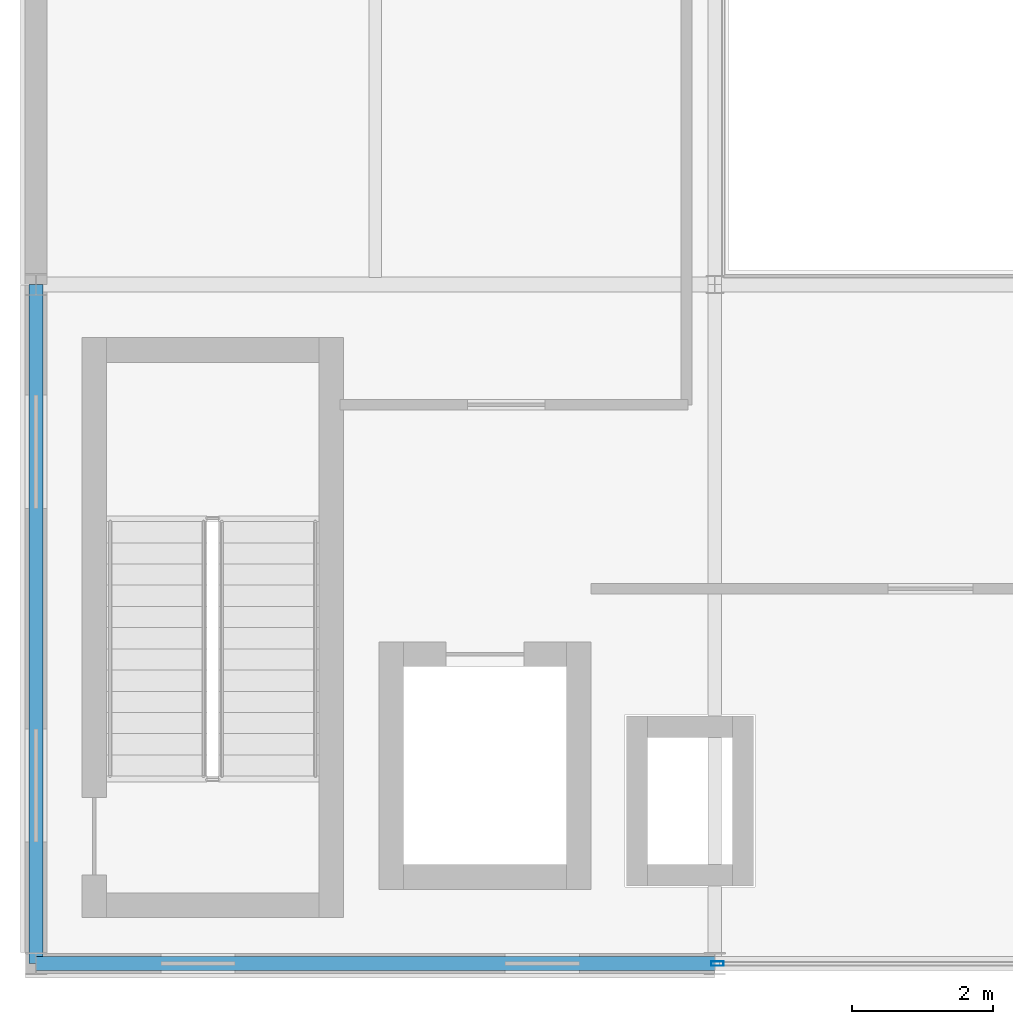
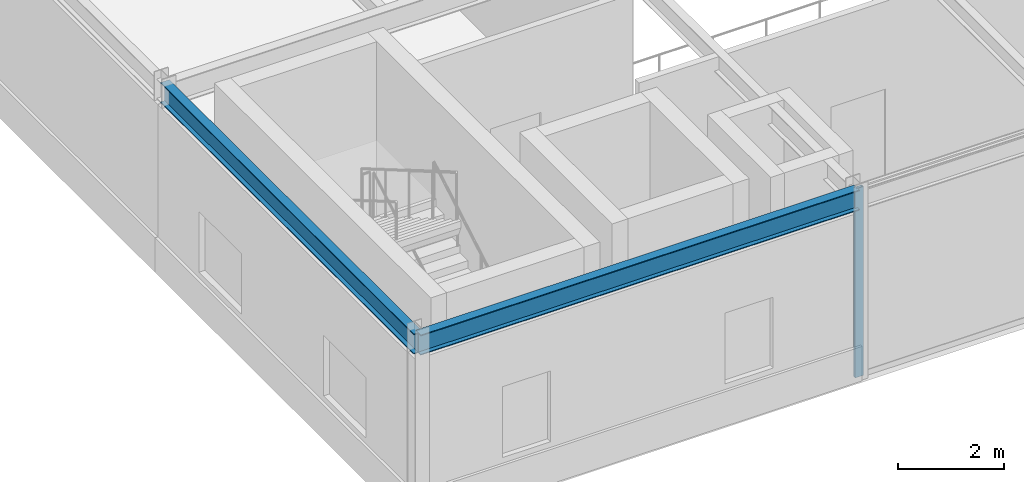
# One storey, part 21 of 157: 2 beams, 1 member, 1 element without a shape of its own.
"""IFC4 building model written with IfcOpenShell, lengths in metres."""

import ifcopenshell
import ifcopenshell.guid

model = None  # the IFC model being written
_history = None  # IfcOwnerHistory: only IFC2X3 demands one
_inside = {}  # id of a spatial element -> (the spatial element, [elements in it])
_under = {}  # id of a project, library or spatial element -> (it, [spatial elements below it])
_declared = {}  # id of a project -> (the project, [libraries it declares])
_typed = {}  # id of a type object -> (the type object, [elements of that type])
_made_of = {}  # id of a material, layer set ... -> (it, [elements and type objects made of it])


def new_model(schema):
    """Start an empty IFC model of exactly this schema.

    Asked for "IFC4X3", IfcOpenShell would pick the latest addendum, in which some entities
    have other attributes; the version numbers below select the first issue.
    IFC2X3 requires an IfcOwnerHistory on every rooted entity: one is made here for all.
    """
    global model, _history
    if schema == "IFC4X3":
        model = ifcopenshell.file(schema_version=(4, 3, 0, 0))
    else:
        model = ifcopenshell.file(schema=schema)
    _inside.clear()
    _under.clear()
    _declared.clear()
    _typed.clear()
    _made_of.clear()
    _history = None
    if model.schema == "IFC2X3":
        org = make("IfcOrganization", Name="unknown")
        user = make(
            "IfcPersonAndOrganization",
            ThePerson=make("IfcPerson", FamilyName="unknown"),
            TheOrganization=org,
        )
        app = make(
            "IfcApplication",
            ApplicationDeveloper=org,
            Version="unknown",
            ApplicationFullName="unknown",
            ApplicationIdentifier="unknown",
        )
        _history = make(
            "IfcOwnerHistory",
            OwningUser=user,
            OwningApplication=app,
            ChangeAction="ADDED",
            CreationDate=0,
        )
    return model


def make(cls, **values):
    """One entity of the class cls with the attributes given. An attribute that is None is left unset."""
    return model.create_entity(
        cls, **{name: value for name, value in values.items() if value is not None}
    )


def rooted(cls, **values):
    """An entity with a GlobalId (a new one), such as an element, a storey or a relation."""
    return make(cls, GlobalId=ifcopenshell.guid.new(), OwnerHistory=_history, **values)


def si_unit(unit_type, name, prefix=None):
    """IfcSIUnit, for example si_unit("LENGTHUNIT", "METRE", prefix="MILLI")."""
    return make("IfcSIUnit", UnitType=unit_type, Prefix=prefix, Name=name)


def assignment(units):
    """IfcUnitAssignment: the units of a project."""
    return None if units is None else make("IfcUnitAssignment", Units=units)


def point(xyz):
    """IfcCartesianPoint."""
    return None if xyz is None else make("IfcCartesianPoint", Coordinates=xyz)


def direction(xyz):
    """IfcDirection."""
    return None if xyz is None else make("IfcDirection", DirectionRatios=xyz)


def frame(location, z_axis=None, x_axis=None):
    """IfcAxis2Placement3D, a coordinate frame: its origin and axes. An axis left out is left unset."""
    return make(
        "IfcAxis2Placement3D",
        Location=point(location),
        Axis=direction(z_axis),
        RefDirection=direction(x_axis),
    )


def frame_2d(location, x_axis=None):
    """IfcAxis2Placement2D, a coordinate frame in the plane: its origin and x axis."""
    return make(
        "IfcAxis2Placement2D", Location=point(location), RefDirection=direction(x_axis)
    )


def origin():
    """The frame at (0, 0, 0) with its axes left unset."""
    return frame((0.0, 0.0, 0.0))


def origin_2d():
    """The frame at (0, 0) in the plane with its x axis left unset."""
    return frame_2d((0.0, 0.0))


def place(relative_to, where):
    """IfcLocalPlacement: puts the frame where relative to a parent placement (None: the world)."""
    return make(
        "IfcLocalPlacement", PlacementRelTo=relative_to, RelativePlacement=where
    )


def context(
    kind, dimensions, precision=None, world=None, true_north=None, identifier=None
):
    """IfcGeometricRepresentationContext, for example the 3D "Model" context."""
    return make(
        "IfcGeometricRepresentationContext",
        ContextIdentifier=identifier,
        ContextType=kind,
        CoordinateSpaceDimension=dimensions,
        Precision=precision,
        WorldCoordinateSystem=world,
        TrueNorth=true_north,
    )


def subcontext(parent, identifier, kind, view, scale=None):
    """IfcGeometricRepresentationSubContext, for example "Body" below "Model"."""
    return make(
        "IfcGeometricRepresentationSubContext",
        ContextIdentifier=identifier,
        ContextType=kind,
        ParentContext=parent,
        TargetScale=scale,
        TargetView=view,
    )


def project(units=None, contexts=None):
    """IfcProject with its units and contexts."""
    return rooted(
        "IfcProject",
        Name="project",
        RepresentationContexts=contexts,
        UnitsInContext=assignment(units),
    )


def spatial(cls, under=None, at=None, **own):
    """A site, building, storey or space (cls), placed at a placement, below another one or the project."""
    s = rooted(cls, ObjectPlacement=at, **own)
    if under is not None:
        _under.setdefault(under.id(), (under, []))[1].append(s)
    return s


def profile(cls, at=None, kind="AREA", **sizes):
    """A parametric profile (cls). Its sizes go by their IFC names, for example OverallWidth=200.0."""
    return make(cls, ProfileType=kind, Position=at, **sizes)


def hollow_rectangle(**sizes):
    """IfcRectangleHollowProfileDef."""
    return profile("IfcRectangleHollowProfileDef", **sizes)


def i_section(**sizes):
    """IfcIShapeProfileDef."""
    return profile("IfcIShapeProfileDef", **sizes)


def extrude(swept, where, along, depth):
    """IfcExtrudedAreaSolid: the profile swept, set in the frame where, extruded along a direction by depth."""
    return make(
        "IfcExtrudedAreaSolid",
        SweptArea=swept,
        Position=where,
        ExtrudedDirection=direction(along),
        Depth=depth,
    )


def shape(context_of_items, identifier, shape_type, items):
    """IfcShapeRepresentation: the items that make up one representation, for example the "Body"."""
    return make(
        "IfcShapeRepresentation",
        ContextOfItems=context_of_items,
        RepresentationIdentifier=identifier,
        RepresentationType=shape_type,
        Items=items,
    )


def material(Name=None, Category=None):
    """IfcMaterial."""
    return make("IfcMaterial", Name=Name, Category=Category)


def material_profile(
    of_material, cross_section, Name=None, Category=None, Priority=None
):
    """IfcMaterialProfile: a cross section and its material."""
    return make(
        "IfcMaterialProfile",
        Name=Name,
        Material=of_material,
        Profile=cross_section,
        Priority=Priority,
        Category=Category,
    )


def profile_set(profiles, Name=None, composite=None):
    """IfcMaterialProfileSet."""
    return make(
        "IfcMaterialProfileSet",
        Name=Name,
        MaterialProfiles=profiles,
        CompositeProfile=composite,
    )


def made_of(thing, what):
    """Note that an element or type object is made of a material, layer set ...; save() writes the relation."""
    if what is not None:
        _made_of.setdefault(what.id(), (what, []))[1].append(thing)
    return thing


def type_object(cls, material=None, **own):
    """A type object (cls), such as IfcWallType, which elements share."""
    return made_of(rooted(cls, **own), material)


def element(
    cls,
    number,
    at=None,
    inside=None,
    cuts=None,
    type_object=None,
    material=None,
    context=None,
    identifier="Body",
    shape_type=None,
    held_by="IfcProductDefinitionShape",
    body=None,
    shapes=None,
    **own,
):
    """One element of the class cls, such as IfcWall. Its Tag is "e" and its number.

    at: its placement. inside: the storey or other place that contains it. cuts: it is an
    opening in that element (IfcRelVoidsElement). A single representation is given by context,
    identifier, shape_type and body (its items); several are given by shapes. held_by: the class
    of the entity that holds the representations. save() writes the other relations.
    """
    e = rooted(cls, Tag="e%d" % number, ObjectPlacement=at, **own)
    if body is not None:
        shapes = [shape(context, identifier, shape_type, body)]
    if shapes is not None:
        e.Representation = make(held_by, Representations=shapes)
    if inside is not None:
        _inside.setdefault(inside.id(), (inside, []))[1].append(e)
    if cuts is not None:
        rooted(
            "IfcRelVoidsElement", RelatingBuildingElement=cuts, RelatedOpeningElement=e
        )
    if type_object is not None:
        _typed.setdefault(type_object.id(), (type_object, []))[1].append(e)
    return made_of(e, material)


def aggregate(whole, parts):
    """IfcRelAggregates: a whole, such as a stair, and the parts it consists of."""
    return rooted("IfcRelAggregates", RelatingObject=whole, RelatedObjects=parts)


def save(model, path):
    """Write the relations noted so far, then the file.

    IfcRelAggregates (storeys below a building ...), IfcRelContainedInSpatialStructure (elements
    in a storey), IfcRelDefinesByType, IfcRelAssociatesMaterial and IfcRelDeclares: one each for
    every whole, place, type object, material and project.
    """
    for whole, parts in _under.values():
        aggregate(whole, parts)
    for where, things in _inside.values():
        rooted(
            "IfcRelContainedInSpatialStructure",
            RelatedElements=things,
            RelatingStructure=where,
        )
    for kind, things in _typed.values():
        rooted("IfcRelDefinesByType", RelatedObjects=things, RelatingType=kind)
    for what, things in _made_of.values():
        rooted("IfcRelAssociatesMaterial", RelatedObjects=things, RelatingMaterial=what)
    for by, libraries in _declared.values():
        rooted("IfcRelDeclares", RelatingContext=by, RelatedDefinitions=libraries)
    model.write(path)


model = new_model("IFC4")

# Units and contexts
model_context = context("Model", 3, precision=1e-05, world=origin(), true_north=direction((0.0, 1.0)))
body_context = subcontext(model_context, "Body", "Model", "MODEL_VIEW")
ifc_project = project(units=[si_unit("LENGTHUNIT", "METRE"), si_unit("AREAUNIT", "SQUARE_METRE"), si_unit("VOLUMEUNIT", "CUBIC_METRE"), si_unit("PLANEANGLEUNIT", "RADIAN"), si_unit("MASSUNIT", "GRAM", prefix="KILO")], contexts=[model_context])

# Site, building, storey
site_placement = place(None, origin())
site = spatial("IfcSite", under=ifc_project, at=site_placement, CompositionType="ELEMENT")
building_placement = place(site_placement, origin())
building = spatial("IfcBuilding", under=site, at=building_placement, Name="Almandine Court Research Institute", CompositionType="ELEMENT")
storey_placement = place(building_placement, frame((0.0, 0.0, 5.25)))
storey = spatial("IfcBuildingStorey", under=building, at=storey_placement, Name="L01", CompositionType="ELEMENT", Elevation=5.25)

# Beams
ifc_material_1 = material(Name="Steel ASTM A992 Grade 50", Category="steel")
ifc_material_profile_1 = material_profile(ifc_material_1, i_section(OverallWidth=0.193115234375, OverallDepth=0.466064453125, WebThickness=0.010986328125, FlangeThickness=0.01904296875, at=origin_2d()), Name="W460x97")
ifc_profile_set_1 = profile_set([ifc_material_profile_1], Name="Steel ASTM A992 Grade 50")
beam_type = type_object("IfcBeamType", Name="Beam-G-06-E", PredefinedType="SPANDREL", material=ifc_profile_set_1)
for number, where, z_axis, x_axis, name in (
    (1, (6.0, 6.0, 4.136962890625), (1.0, 0.0, 0.0), (0.0, 1.0, 0.0), "L01 V1 Primary X Girder"),
    (2, (6.0, 6.0, 4.136962890625), (0.0, 1.0, 0.0), (-1.0, 0.0, 0.0), "L01 V1 Primary Y Girder"),
):
    element("IfcBeam", number, at=place(storey_placement, frame(where, z_axis=z_axis, x_axis=x_axis)), inside=storey, type_object=beam_type, Name=name, PredefinedType="SPANDREL", context=body_context, shape_type="SweptSolid", body=[
        extrude(i_section(OverallWidth=0.193115234375, OverallDepth=0.466064453125, WebThickness=0.010986328125, FlangeThickness=0.01904296875, at=origin_2d()), origin(), (0.0, 0.0, 1.0), 9.60009765625),
    ])

# Curtain wall, member
ifc_material_2 = material(Name="Unitised Curtain Wall Framing and Solar Glazing", Category="glass")
curtain_wall_type = type_object("IfcCurtainWallType", Name="CW-CWJ-02", PredefinedType="USERDEFINED", material=ifc_material_2)
curtain_wall_placement = place(storey_placement, origin())
curtain_wall = element("IfcCurtainWall", 3, at=curtain_wall_placement, inside=storey, type_object=curtain_wall_type, Name="L01 Lecture Foyer South Jali Curtain Wall", ObjectType="SOLAR JALI SCREEN", PredefinedType="USERDEFINED")
ifc_material_3 = material(Name="Anodised Aluminium AW-6063-T6", Category="aluminium")
ifc_material_profile_2 = material_profile(ifc_material_3, hollow_rectangle(XDim=0.06494140625, YDim=0.179931640625, WallThickness=0.00390625, at=origin_2d()), Name="ALU RHS 65x180x4")
ifc_profile_set_2 = profile_set([ifc_material_profile_2], Name="Anodised Aluminium AW-6063-T6")
member_type = type_object("IfcMemberType", Name="CWMul-65x180", PredefinedType="MULLION", material=ifc_profile_set_2)
member_placement = place(storey_placement, frame((15.636474609375, 6.0, 0.0), z_axis=(0.0, 0.0, 1.0), x_axis=(0.0, -1.0, 0.0)))
member = element("IfcMember", 4, at=member_placement, type_object=member_type, Name="CWJ-02 mullion 3", PredefinedType="MULLION", context=body_context, shape_type="SweptSolid", body=[
    extrude(hollow_rectangle(XDim=0.06494140625, YDim=0.179931640625, WallThickness=0.00390625, at=origin_2d()), origin(), (0.0, 0.0, 1.0), 4.3701171875),
])
aggregate(curtain_wall, [member])

save(model, "model.ifc")
